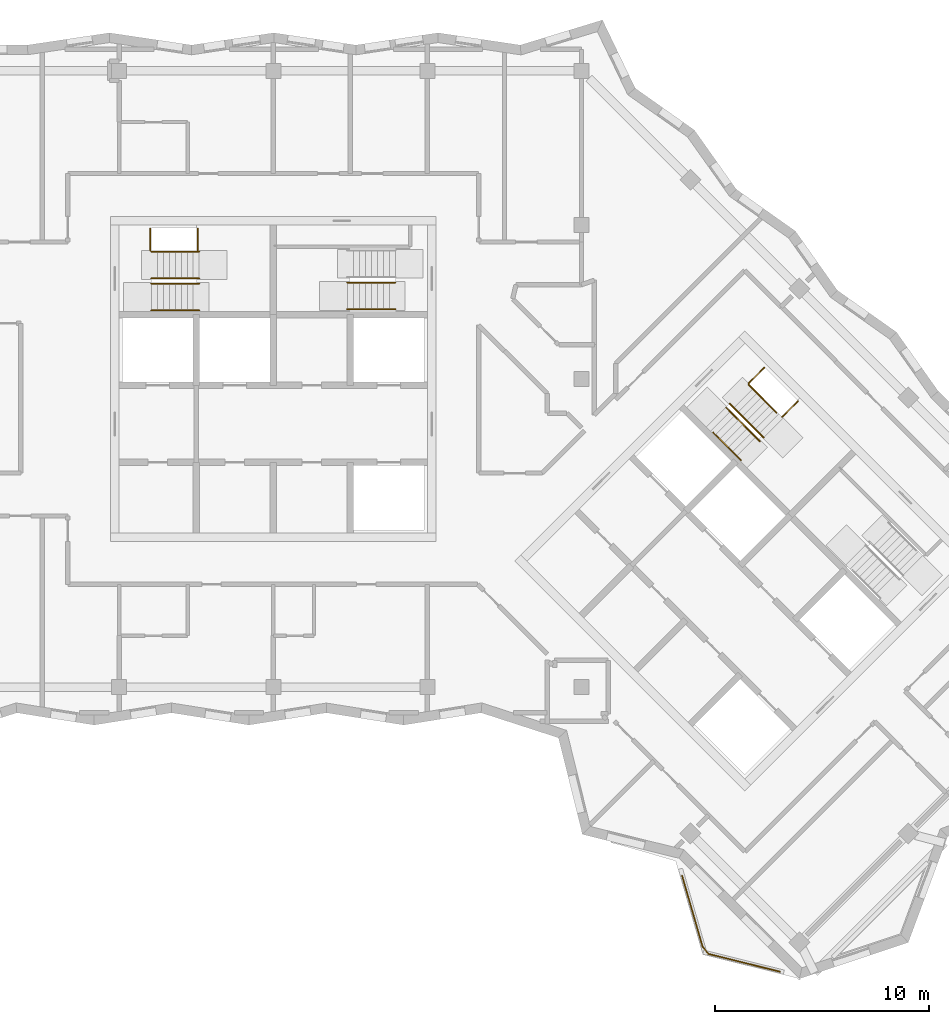
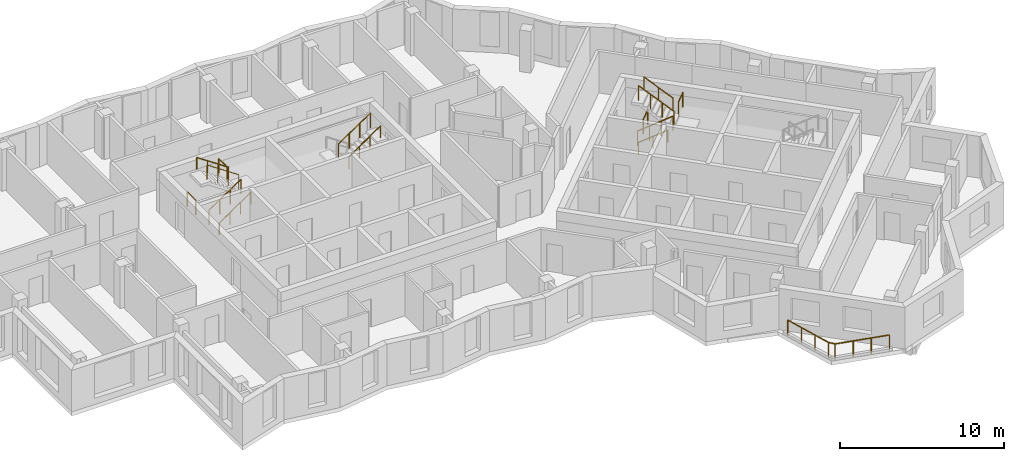
# One storey, part 10 of 12: 17 railings.
"""IFC4 building model written with IfcOpenShell, lengths in metres."""

from ifc_helpers import new_model, si_unit, direction, frame, origin, origin_2d, place, context, subcontext, project, spatial, circle, extrude, material, type_object, element, save


model = new_model("IFC4")

# Units and contexts
model_context = context("Model", 3, precision=1e-05, world=origin(), true_north=direction((0.0, 1.0)))
body_context = subcontext(model_context, "Body", "Model", "MODEL_VIEW")
ifc_project = project(units=[si_unit("LENGTHUNIT", "METRE"), si_unit("AREAUNIT", "SQUARE_METRE"), si_unit("VOLUMEUNIT", "CUBIC_METRE"), si_unit("PLANEANGLEUNIT", "RADIAN"), si_unit("MASSUNIT", "GRAM", prefix="KILO")], contexts=[model_context])

# Site, building, storey
site_placement = place(None, origin())
site = spatial("IfcSite", under=ifc_project, at=site_placement, CompositionType="ELEMENT")
building_placement = place(site_placement, origin())
building = spatial("IfcBuilding", under=site, at=building_placement, Name="Windrow Commons", CompositionType="ELEMENT")
storey_placement = place(building_placement, frame((0.0, 0.0, 274.4)))
storey = spatial("IfcBuildingStorey", under=building, at=storey_placement, Name="L75", CompositionType="ELEMENT", Elevation=274.4)

# Railings
ifc_material_1 = material(Name="Steel S355", Category="steel")
railing_type_1 = type_object("IfcRailingType", Name="Core stair guard 1100", PredefinedType="GUARDRAIL", material=ifc_material_1)
railing_1_placement = place(storey_placement, frame((59.1, 62.05, 0.1889)))
element("IfcRailing", 1, at=railing_1_placement, inside=storey, type_object=railing_type_1, Name="L75 ST-A1 stair guard 1", PredefinedType="GUARDRAIL", context=body_context, shape_type="SweptSolid", body=[
    extrude(circle(Radius=0.024, at=origin_2d()), frame((0.0, 0.0, 1.076), z_axis=(0.8290030985, 0.0, 0.5592440099), x_axis=(0.0, 1.0, 0.0)), (0.0, 0.0, 1.0), 2.702),
    extrude(circle(Radius=0.021, at=origin_2d()), origin(), (0.0, 0.0, 1.0), 1.052),
    extrude(circle(Radius=0.021, at=origin_2d()), frame((0.7467, 0.0, 0.5037)), (0.0, 0.0, 1.0), 1.052),
    extrude(circle(Radius=0.021, at=origin_2d()), frame((1.4933, 0.0, 1.0074)), (0.0, 0.0, 1.0), 1.052),
    extrude(circle(Radius=0.021, at=origin_2d()), frame((2.24, 0.0, 1.5111)), (0.0, 0.0, 1.0), 1.052),
])
railing_2_placement = place(storey_placement, frame((61.34, 62.3, 1.8889)))
element("IfcRailing", 2, at=railing_2_placement, inside=storey, type_object=railing_type_1, Name="L75 ST-A1 stair guard 2", PredefinedType="GUARDRAIL", context=body_context, shape_type="SweptSolid", body=[
    extrude(circle(Radius=0.024, at=origin_2d()), frame((0.0, 0.0, 1.076), z_axis=(-0.8290030985, 0.0, 0.5592440099), x_axis=(0.0, -1.0, 0.0)), (0.0, 0.0, 1.0), 2.702),
    extrude(circle(Radius=0.021, at=origin_2d()), origin(), (0.0, 0.0, 1.0), 1.052),
    extrude(circle(Radius=0.021, at=origin_2d()), frame((-0.7467, 0.0, 0.5037)), (0.0, 0.0, 1.0), 1.052),
    extrude(circle(Radius=0.021, at=origin_2d()), frame((-1.4933, 0.0, 1.0074)), (0.0, 0.0, 1.0), 1.052),
    extrude(circle(Radius=0.021, at=origin_2d()), frame((-2.24, 0.0, 1.5111)), (0.0, 0.0, 1.0), 1.052),
])
for number, where, name in (
    (3, (59.05, 63.6, 0.0), "L75 ST-A1 stair guard 3"),
    (4, (61.27, 63.6, 1.7), "L75 ST-A1 stair guard 4"),
):
    element("IfcRailing", number, at=place(storey_placement, frame(where)), inside=storey, type_object=railing_type_1, Name=name, PredefinedType="GUARDRAIL", context=body_context, shape_type="SweptSolid", body=[
        extrude(circle(Radius=0.024, at=origin_2d()), frame((0.0, 0.0, 1.076), z_axis=(0.0, 1.0, 0.0), x_axis=(-1.0, 0.0, 0.0)), (0.0, 0.0, 1.0), 1.03),
        extrude(circle(Radius=0.021, at=origin_2d()), origin(), (0.0, 0.0, 1.0), 1.052),
        extrude(circle(Radius=0.021, at=origin_2d()), frame((0.0, 1.03, 0.0)), (0.0, 0.0, 1.0), 1.052),
    ])
railing_3_placement = place(storey_placement, frame((68.26, 62.105, 1.8889)))
element("IfcRailing", 5, at=railing_3_placement, inside=storey, type_object=railing_type_1, Name="L75 ST-A2 stair guard 2", PredefinedType="GUARDRAIL", context=body_context, shape_type="SweptSolid", body=[
    extrude(circle(Radius=0.024, at=origin_2d()), frame((0.0, 0.0, 1.076), z_axis=(0.8290030985, 0.0, 0.5592440099), x_axis=(0.0, 1.0, 0.0)), (0.0, 0.0, 1.0), 2.702),
    extrude(circle(Radius=0.021, at=origin_2d()), origin(), (0.0, 0.0, 1.0), 1.052),
    extrude(circle(Radius=0.021, at=origin_2d()), frame((0.7467, 0.0, 0.5037)), (0.0, 0.0, 1.0), 1.052),
    extrude(circle(Radius=0.021, at=origin_2d()), frame((1.4933, 0.0, 1.0074)), (0.0, 0.0, 1.0), 1.052),
    extrude(circle(Radius=0.021, at=origin_2d()), frame((2.24, 0.0, 1.5111)), (0.0, 0.0, 1.0), 1.052),
])
railing_4_placement = place(storey_placement, frame((85.9529, 56.2669, 0.1889)))
element("IfcRailing", 6, at=railing_4_placement, inside=storey, type_object=railing_type_1, Name="L75 ST-B1 stair guard 1", PredefinedType="GUARDRAIL", context=body_context, shape_type="SweptSolid", body=[
    extrude(circle(Radius=0.024, at=origin_2d()), frame((0.0, 0.0, 1.076), z_axis=(0.5861914914, -0.5861914914, 0.5592486664), x_axis=(0.7071067812, 0.7071067812, 0.0)), (0.0, 0.0, 1.0), 2.702),
    extrude(circle(Radius=0.021, at=origin_2d()), origin(), (0.0, 0.0, 1.0), 1.052),
    extrude(circle(Radius=0.021, at=origin_2d()), frame((0.528, -0.528, 0.5037)), (0.0, 0.0, 1.0), 1.052),
    extrude(circle(Radius=0.021, at=origin_2d()), frame((1.0559, -1.0559, 1.0074)), (0.0, 0.0, 1.0), 1.052),
    extrude(circle(Radius=0.021, at=origin_2d()), frame((1.5839, -1.5839, 1.5111)), (0.0, 0.0, 1.0), 1.052),
])
railing_5_placement = place(storey_placement, frame((87.7136, 54.8597, 1.8889)))
element("IfcRailing", 7, at=railing_5_placement, inside=storey, type_object=railing_type_1, Name="L75 ST-B1 stair guard 2", PredefinedType="GUARDRAIL", context=body_context, shape_type="SweptSolid", body=[
    extrude(circle(Radius=0.024, at=origin_2d()), frame((0.0, 0.0, 1.076), z_axis=(-0.5862030657, 0.5862030657, 0.5592244018), x_axis=(-0.7071067812, -0.7071067812, 0.0)), (0.0, 0.0, 1.0), 2.7021),
    extrude(circle(Radius=0.021, at=origin_2d()), origin(), (0.0, 0.0, 1.0), 1.052),
    extrude(circle(Radius=0.021, at=origin_2d()), frame((-0.528, 0.528, 0.5037)), (0.0, 0.0, 1.0), 1.052),
    extrude(circle(Radius=0.021, at=origin_2d()), frame((-1.056, 1.056, 1.0074)), (0.0, 0.0, 1.0), 1.052),
    extrude(circle(Radius=0.021, at=origin_2d()), frame((-1.584, 1.584, 1.5111)), (0.0, 0.0, 1.0), 1.052),
])
railing_6_placement = place(storey_placement, frame((87.0135, 57.3982, 0.0)))
element("IfcRailing", 8, at=railing_6_placement, inside=storey, type_object=railing_type_1, Name="L75 ST-B1 stair guard 3", PredefinedType="GUARDRAIL", context=body_context, shape_type="SweptSolid", body=[
    extrude(circle(Radius=0.024, at=origin_2d()), frame((0.0, 0.0, 1.076), z_axis=(0.7070582378, 0.7071553212, 0.0), x_axis=(-0.7071553212, 0.7070582378, 0.0)), (0.0, 0.0, 1.0), 1.03),
    extrude(circle(Radius=0.021, at=origin_2d()), origin(), (0.0, 0.0, 1.0), 1.052),
    extrude(circle(Radius=0.021, at=origin_2d()), frame((0.7283, 0.7284, 0.0)), (0.0, 0.0, 1.0), 1.052),
])
railing_7_placement = place(storey_placement, frame((88.5833, 55.8285, 1.7)))
element("IfcRailing", 9, at=railing_7_placement, inside=storey, type_object=railing_type_1, Name="L75 ST-B1 stair guard 4", PredefinedType="GUARDRAIL", context=body_context, shape_type="SweptSolid", body=[
    extrude(circle(Radius=0.024, at=origin_2d()), frame((0.0, 0.0, 1.076), z_axis=(0.7071067812, 0.7071067812, 0.0), x_axis=(-0.7071067812, 0.7071067812, 0.0)), (0.0, 0.0, 1.0), 1.03),
    extrude(circle(Radius=0.021, at=origin_2d()), origin(), (0.0, 0.0, 1.0), 1.052),
    extrude(circle(Radius=0.021, at=origin_2d()), frame((0.7283, 0.7283, 0.0)), (0.0, 0.0, 1.0), 1.052),
])
ifc_material_2 = material(Name="Steel S355", Category="steel")
railing_type_2 = type_object("IfcRailingType", Name="Core stair handrail 900", PredefinedType="HANDRAIL", material=ifc_material_2)
railing_8_placement = place(storey_placement, frame((59.1, 60.8, 0.1889)))
element("IfcRailing", 10, at=railing_8_placement, inside=storey, type_object=railing_type_2, Name="L75 ST-A1 stair handrail 1", PredefinedType="HANDRAIL", context=body_context, shape_type="SweptSolid", body=[
    extrude(circle(Radius=0.024, at=origin_2d()), frame((0.0, 0.0, 0.876), z_axis=(0.8290030985, 0.0, 0.5592440099), x_axis=(0.0, 1.0, 0.0)), (0.0, 0.0, 1.0), 2.702),
    extrude(circle(Radius=0.021, at=origin_2d()), origin(), (0.0, 0.0, 1.0), 0.852),
    extrude(circle(Radius=0.021, at=origin_2d()), frame((0.7467, 0.0, 0.5037)), (0.0, 0.0, 1.0), 0.852),
    extrude(circle(Radius=0.021, at=origin_2d()), frame((1.4933, 0.0, 1.0074)), (0.0, 0.0, 1.0), 0.852),
    extrude(circle(Radius=0.021, at=origin_2d()), frame((2.24, 0.0, 1.5111)), (0.0, 0.0, 1.0), 0.852),
])
railing_9_placement = place(storey_placement, frame((61.34, 63.55, 1.8889)))
element("IfcRailing", 11, at=railing_9_placement, inside=storey, type_object=railing_type_2, Name="L75 ST-A1 stair handrail 2", PredefinedType="HANDRAIL", context=body_context, shape_type="SweptSolid", body=[
    extrude(circle(Radius=0.024, at=origin_2d()), frame((0.0, 0.0, 0.876), z_axis=(-0.8290030985, 0.0, 0.5592440099), x_axis=(0.0, -1.0, 0.0)), (0.0, 0.0, 1.0), 2.702),
    extrude(circle(Radius=0.021, at=origin_2d()), origin(), (0.0, 0.0, 1.0), 0.852),
    extrude(circle(Radius=0.021, at=origin_2d()), frame((-0.7467, 0.0, 0.5037)), (0.0, 0.0, 1.0), 0.852),
    extrude(circle(Radius=0.021, at=origin_2d()), frame((-1.4933, 0.0, 1.0074)), (0.0, 0.0, 1.0), 0.852),
    extrude(circle(Radius=0.021, at=origin_2d()), frame((-2.24, 0.0, 1.5111)), (0.0, 0.0, 1.0), 0.852),
])
railing_10_placement = place(storey_placement, frame((68.26, 60.855, 1.8889)))
element("IfcRailing", 12, at=railing_10_placement, inside=storey, type_object=railing_type_2, Name="L75 ST-A2 stair handrail 2", PredefinedType="HANDRAIL", context=body_context, shape_type="SweptSolid", body=[
    extrude(circle(Radius=0.024, at=origin_2d()), frame((0.0, 0.0, 0.876), z_axis=(0.8290030985, 0.0, 0.5592440099), x_axis=(0.0, 1.0, 0.0)), (0.0, 0.0, 1.0), 2.702),
    extrude(circle(Radius=0.021, at=origin_2d()), origin(), (0.0, 0.0, 1.0), 0.852),
    extrude(circle(Radius=0.021, at=origin_2d()), frame((0.7467, 0.0, 0.5037)), (0.0, 0.0, 1.0), 0.852),
    extrude(circle(Radius=0.021, at=origin_2d()), frame((1.4933, 0.0, 1.0074)), (0.0, 0.0, 1.0), 0.852),
    extrude(circle(Radius=0.021, at=origin_2d()), frame((2.24, 0.0, 1.5111)), (0.0, 0.0, 1.0), 0.852),
])
railing_11_placement = place(storey_placement, frame((85.3518, 55.1001, 0.4587)))
element("IfcRailing", 13, at=railing_11_placement, inside=storey, type_object=railing_type_2, Name="L75 ST-B1 stair handrail 1", PredefinedType="HANDRAIL", context=body_context, shape_type="SweptSolid", body=[
    extrude(circle(Radius=0.024, at=origin_2d()), frame((0.0, 0.0, 0.876), z_axis=(0.586206706, -0.5861616513, 0.5592639952), x_axis=(0.7070796062, 0.7071339551, 0.0)), (0.0, 0.0, 1.0), 2.2195),
    extrude(circle(Radius=0.021, at=origin_2d()), origin(), (0.0, 0.0, 1.0), 0.852),
    extrude(circle(Radius=0.021, at=origin_2d()), frame((0.6506, -0.6505, 0.6207)), (0.0, 0.0, 1.0), 0.852),
    extrude(circle(Radius=0.021, at=origin_2d()), frame((1.3011, -1.301, 1.2413)), (0.0, 0.0, 1.0), 0.852),
])
railing_12_placement = place(storey_placement, frame((88.3146, 56.0265, 2.1587)))
element("IfcRailing", 14, at=railing_12_placement, inside=storey, type_object=railing_type_2, Name="L75 ST-B1 stair handrail 2", PredefinedType="HANDRAIL", context=body_context, shape_type="SweptSolid", body=[
    extrude(circle(Radius=0.024, at=origin_2d()), frame((0.0, 0.0, 0.876), z_axis=(-0.586206706, 0.5861616513, 0.5592639952), x_axis=(-0.7070796062, -0.7071339551, 0.0)), (0.0, 0.0, 1.0), 2.2195),
    extrude(circle(Radius=0.021, at=origin_2d()), origin(), (0.0, 0.0, 1.0), 0.852),
    extrude(circle(Radius=0.021, at=origin_2d()), frame((-0.6506, 0.6505, 0.6207)), (0.0, 0.0, 1.0), 0.852),
    extrude(circle(Radius=0.021, at=origin_2d()), frame((-1.3011, 1.301, 1.2413)), (0.0, 0.0, 1.0), 0.852),
])
ifc_material_3 = material(Name="Stainless steel S316 balustrade with toughened glass infill", Category="steel")
railing_type_3 = type_object("IfcRailingType", Name="Terrace guard 1200 podium", PredefinedType="BALUSTRADE", material=ifc_material_3)
railing_13_placement = place(storey_placement, frame((88.4776, 29.9017, 0.0)))
element("IfcRailing", 15, at=railing_13_placement, inside=storey, type_object=railing_type_3, Name="Guard FL-L75.C234", PredefinedType="BALUSTRADE", context=body_context, shape_type="SweptSolid", body=[
    extrude(circle(Radius=0.025, at=origin_2d()), frame((0.0, 0.0, 1.175), z_axis=(-0.9704198532, 0.2414235045, 0.0), x_axis=(-0.2414235045, -0.9704198532, 0.0)), (0.0, 0.0, 1.0), 3.4491),
    extrude(circle(Radius=0.02, at=origin_2d()), origin(), (0.0, 0.0, 1.0), 1.15),
    extrude(circle(Radius=0.02, at=origin_2d()), frame((-1.1157, 0.2776, 0.0)), (0.0, 0.0, 1.0), 1.15),
    extrude(circle(Radius=0.02, at=origin_2d()), frame((-2.2314, 0.5551, 0.0)), (0.0, 0.0, 1.0), 1.15),
    extrude(circle(Radius=0.02, at=origin_2d()), frame((-3.3471, 0.8327, 0.0)), (0.0, 0.0, 1.0), 1.15),
])
railing_14_placement = place(storey_placement, frame((85.1305, 30.7344, 0.0)))
element("IfcRailing", 16, at=railing_14_placement, inside=storey, type_object=railing_type_3, Name="Guard FL-L75.C235", PredefinedType="BALUSTRADE", context=body_context, shape_type="SweptSolid", body=[
    extrude(circle(Radius=0.025, at=origin_2d()), frame((0.0, 0.0, 1.175), z_axis=(-0.627043792, 0.7789840069, 0.0), x_axis=(-0.7789840069, -0.627043792, 0.0)), (0.0, 0.0, 1.0), 0.4304),
    extrude(circle(Radius=0.02, at=origin_2d()), origin(), (0.0, 0.0, 1.0), 1.15),
    extrude(circle(Radius=0.02, at=origin_2d()), frame((-0.2699, 0.3353, 0.0)), (0.0, 0.0, 1.0), 1.15),
])
railing_15_placement = place(storey_placement, frame((84.8606, 31.0697, 0.0)))
element("IfcRailing", 17, at=railing_15_placement, inside=storey, type_object=railing_type_3, Name="Guard FL-L75.C236", PredefinedType="BALUSTRADE", context=body_context, shape_type="SweptSolid", body=[
    extrude(circle(Radius=0.025, at=origin_2d()), frame((0.0, 0.0, 1.175), z_axis=(-0.2777447983, 0.9606548949, 0.0), x_axis=(-0.9606548949, -0.2777447983, 0.0)), (0.0, 0.0, 1.0), 3.4492),
    extrude(circle(Radius=0.02, at=origin_2d()), origin(), (0.0, 0.0, 1.0), 1.15),
    extrude(circle(Radius=0.02, at=origin_2d()), frame((-0.3193, 1.1045, 0.0)), (0.0, 0.0, 1.0), 1.15),
    extrude(circle(Radius=0.02, at=origin_2d()), frame((-0.6387, 2.209, 0.0)), (0.0, 0.0, 1.0), 1.15),
    extrude(circle(Radius=0.02, at=origin_2d()), frame((-0.958, 3.3135, 0.0)), (0.0, 0.0, 1.0), 1.15),
])

save(model, "model.ifc")
